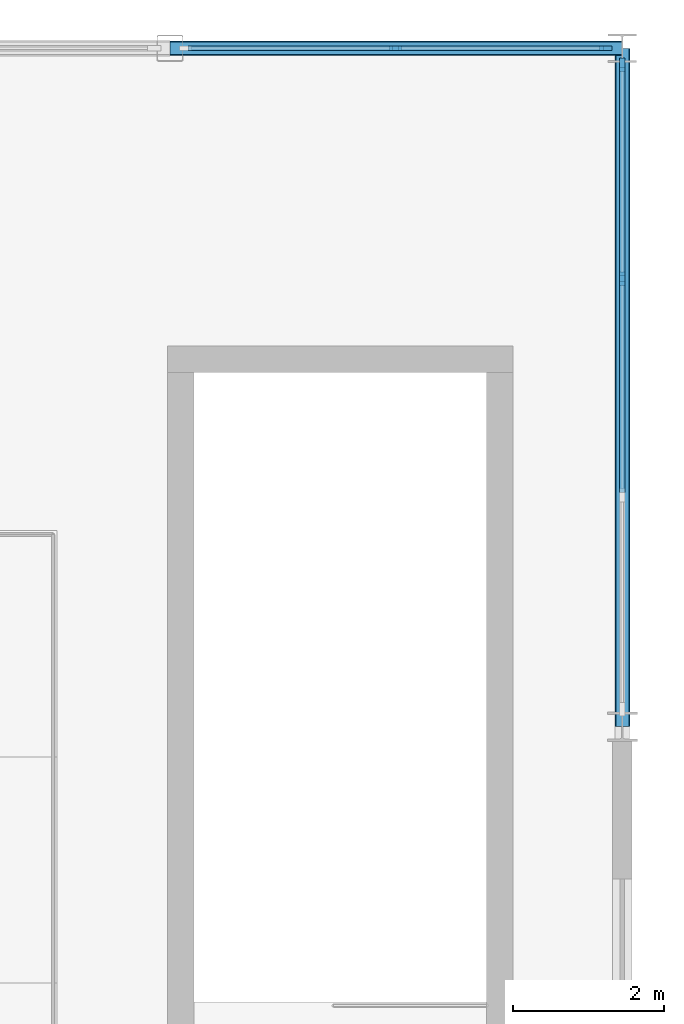
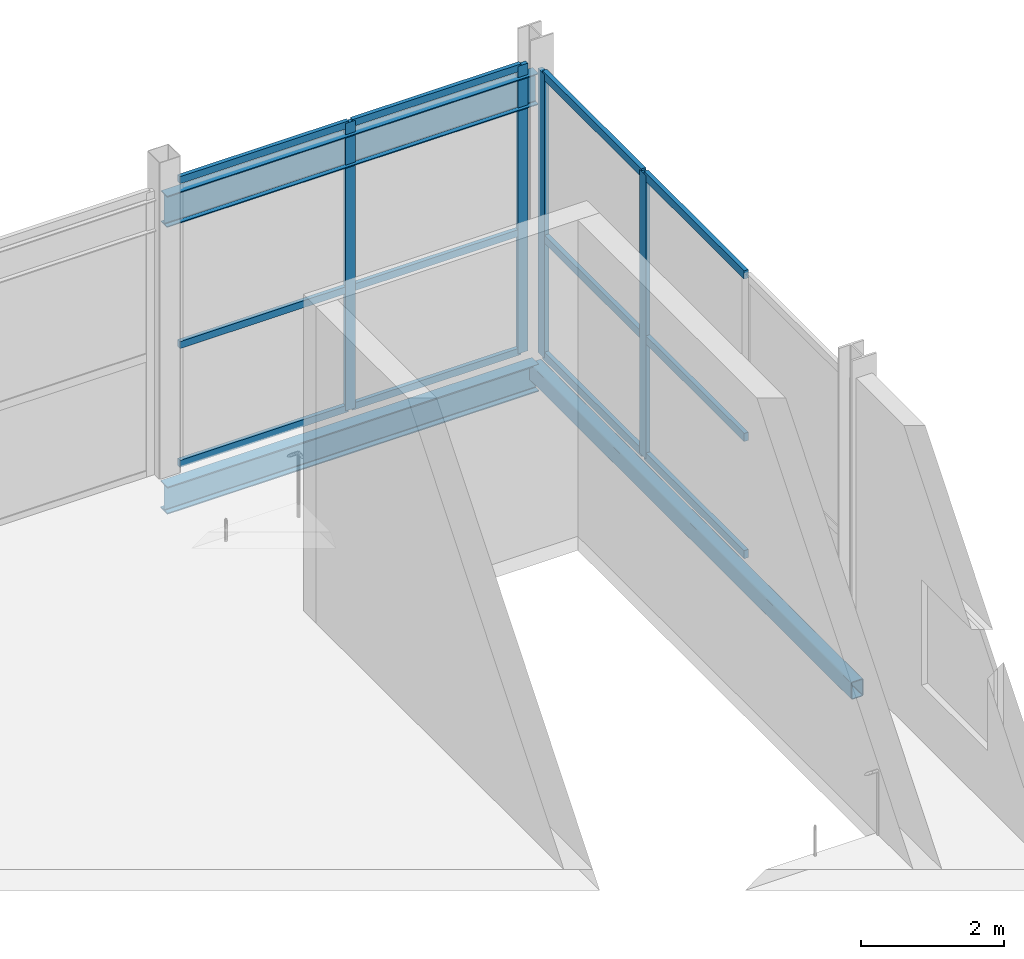
# One storey, part 66 of 119: 16 members, 3 beams, 2 elements without a shape of their own.
"""IFC4 building model written with IfcOpenShell, lengths in metres."""

from ifc_helpers import new_model, si_unit, direction, frame, origin, origin_2d, place, context, subcontext, project, spatial, rectangle, hollow_rectangle, i_section, extrude, material, layer, layer_set, material_profile, profile_set, type_object, element, aggregate, save


model = new_model("IFC4")

# Units and contexts
model_context = context("Model", 3, precision=1e-05, world=origin(), true_north=direction((0.0, 1.0)))
body_context = subcontext(model_context, "Body", "Model", "MODEL_VIEW")
ifc_project = project(units=[si_unit("LENGTHUNIT", "METRE"), si_unit("AREAUNIT", "SQUARE_METRE"), si_unit("VOLUMEUNIT", "CUBIC_METRE"), si_unit("PLANEANGLEUNIT", "RADIAN"), si_unit("MASSUNIT", "GRAM", prefix="KILO")], contexts=[model_context])

# Site, building, storey
site_placement = place(None, origin())
site = spatial("IfcSite", under=ifc_project, at=site_placement, CompositionType="ELEMENT")
building_placement = place(site_placement, origin())
building = spatial("IfcBuilding", under=site, at=building_placement, Name="Qamarlyn Nura Convention Centre", CompositionType="ELEMENT")
storey_placement = place(building_placement, frame((0.0, 0.0, 5.39990234375)))
storey = spatial("IfcBuildingStorey", under=building, at=storey_placement, Name="L01", CompositionType="ELEMENT", Elevation=5.39990234375)

# Beams
ifc_material_1 = material(Name="Steel ASTM A992", Category="steel")
ifc_material_profile_1 = material_profile(ifc_material_1, i_section(OverallWidth=0.166015625, OverallDepth=0.534912109375, WebThickness=0.01025390625, FlangeThickness=0.0166015625, FilletRadius=0.013916015625, at=origin_2d()), Name="W530X85")
ifc_profile_set_1 = profile_set([ifc_material_profile_1], Name="Steel ASTM A992")
beam_type_1 = type_object("IfcBeamType", Name="BM-RAKER-01", PredefinedType="BEAM", material=ifc_profile_set_1)
beam_1_placement = place(storey_placement, frame((186.0, 126.0, 4.4501953125), z_axis=(1.0, 0.0, 0.0), x_axis=(0.0, 1.0, 0.0)))
element("IfcBeam", 1, at=beam_1_placement, inside=storey, type_object=beam_type_1, Name="Plenary stand rear header girder 186-192", PredefinedType="BEAM", context=body_context, shape_type="SweptSolid", body=[
    extrude(i_section(OverallWidth=0.166015625, OverallDepth=0.534912109375, WebThickness=0.01025390625, FlangeThickness=0.0166015625, FilletRadius=0.013916015625, at=origin_2d()), origin(), (0.0, 0.0, 1.0), 6.0),
])
ifc_material_profile_2 = material_profile(ifc_material_1, i_section(OverallWidth=0.193115234375, OverallDepth=0.466064453125, WebThickness=0.011474609375, FlangeThickness=0.01904296875, FilletRadius=0.012939453125, at=origin_2d()), Name="W460X97")
ifc_profile_set_2 = profile_set([ifc_material_profile_2], Name="Steel ASTM A992")
beam_type_2 = type_object("IfcBeamType", Name="BM-SPAN-460", PredefinedType="SPANDREL", material=ifc_profile_set_2)
beam_2_placement = place(storey_placement, frame((186.0, 126.0, -0.472900390625), z_axis=(1.0, 0.0, 0.0), x_axis=(0.0, 1.0, 0.0)))
element("IfcBeam", 2, at=beam_2_placement, inside=storey, type_object=beam_type_2, Name="L01 girder Q 17-18", PredefinedType="SPANDREL", context=body_context, shape_type="SweptSolid", body=[
    extrude(i_section(OverallWidth=0.193115234375, OverallDepth=0.466064453125, WebThickness=0.011474609375, FlangeThickness=0.01904296875, FilletRadius=0.012939453125, at=origin_2d()), origin(), (0.0, 0.0, 1.0), 6.0),
])
ifc_material_2 = material(Name="Steel ASTM A500 Grade C", Category="steel")
ifc_material_profile_3 = material_profile(ifc_material_2, hollow_rectangle(XDim=0.199951171875, YDim=0.300048828125, WallThickness=0.012451171875, InnerFilletRadius=0.012451171875, OuterFilletRadius=0.02490234375, at=origin_2d()), Name="HSS300X200X12.5")
ifc_profile_set_3 = profile_set([ifc_material_profile_3], Name="Steel ASTM A500 Grade C")
beam_type_3 = type_object("IfcBeamType", Name="BM-SPAN-HSS", PredefinedType="SPANDREL", material=ifc_profile_set_3)
beam_3_placement = place(storey_placement, frame((192.0, 117.0, -0.389892578125), z_axis=(0.0, 1.0, 0.0), x_axis=(-1.0, 0.0, 0.0)))
element("IfcBeam", 3, at=beam_3_placement, inside=storey, type_object=beam_type_3, Name="L01 girder 18 P-Q", PredefinedType="SPANDREL", context=body_context, shape_type="SweptSolid", body=[
    extrude(hollow_rectangle(XDim=0.199951171875, YDim=0.300048828125, WallThickness=0.012451171875, InnerFilletRadius=0.012451171875, OuterFilletRadius=0.02490234375, at=origin_2d()), origin(), (0.0, 0.0, 1.0), 9.0),
])

# Curtain wall, members
ifc_material_3 = material(Name="Double-silver low-E insulated glass", Category="glass")
ifc_layer_1 = layer(ifc_material_3, 0.179931640625, Name="CW-UNIT-91")
ifc_layer_set_1 = layer_set([ifc_layer_1], Name="Double-silver low-E insulated glass")
curtain_wall_type_1 = type_object("IfcCurtainWallType", Name="CW-UNIT-91", PredefinedType="NOTDEFINED", material=ifc_layer_set_1)
curtain_wall_1_placement = place(storey_placement, origin())
curtain_wall_1 = element("IfcCurtainWall", 4, at=curtain_wall_1_placement, inside=storey, type_object=curtain_wall_type_1, Name="L01 unitised curtain wall PLN-N6-1", PredefinedType="NOTDEFINED")
ifc_material_4 = material(Name="Champagne-anodised marine aluminium", Category="aluminium")
ifc_material_profile_4 = material_profile(ifc_material_4, rectangle(XDim=0.06494140625, YDim=0.159912109375, at=origin_2d()), Name="ALU MULLION 65x160")
ifc_profile_set_4 = profile_set([ifc_material_profile_4], Name="Champagne-anodised marine aluminium")
member_type_1 = type_object("IfcMemberType", Name="CWM-160", PredefinedType="MULLION", material=ifc_profile_set_4)
member_1_placement = place(storey_placement, frame((188.993896484375, 126.0, 0.0), z_axis=(0.0, 0.0, 1.0), x_axis=(0.0, 1.0, 0.0)))
member_1 = element("IfcMember", 5, at=member_1_placement, type_object=member_type_1, Name="CW91 mullion 2", PredefinedType="MULLION", context=body_context, shape_type="SweptSolid", body=[
    extrude(rectangle(XDim=0.06494140625, YDim=0.159912109375, at=origin_2d()), origin(), (0.0, 0.0, 1.0), 4.91015625),
])
member_2_placement = place(storey_placement, frame((191.780517578125, 126.0, 0.0), z_axis=(0.0, 0.0, 1.0), x_axis=(0.0, 1.0, 0.0)))
member_2 = element("IfcMember", 6, at=member_2_placement, type_object=member_type_1, Name="CW91 mullion 3", PredefinedType="MULLION", context=body_context, shape_type="SweptSolid", body=[
    extrude(rectangle(XDim=0.06494140625, YDim=0.159912109375, at=origin_2d()), origin(), (0.0, 0.0, 1.0), 4.91015625),
])

ifc_layer_2 = layer(ifc_material_3, 0.179931640625, Name="CW-UNIT-75")
ifc_layer_set_2 = layer_set([ifc_layer_2], Name="Double-silver low-E insulated glass")
curtain_wall_type_2 = type_object("IfcCurtainWallType", Name="CW-UNIT-75", PredefinedType="NOTDEFINED", material=ifc_layer_set_2)
curtain_wall_2_placement = place(storey_placement, origin())
curtain_wall_2 = element("IfcCurtainWall", 7, at=curtain_wall_2_placement, inside=storey, type_object=curtain_wall_type_2, Name="L01 unitised curtain wall EAST-14-1", PredefinedType="NOTDEFINED")
ifc_material_profile_5 = material_profile(ifc_material_4, rectangle(XDim=0.070068359375, YDim=0.179931640625, at=origin_2d()), Name="ALU MULLION 70x180")
ifc_profile_set_5 = profile_set([ifc_material_profile_5], Name="Champagne-anodised marine aluminium")
member_type_2 = type_object("IfcMemberType", Name="CWM-180", PredefinedType="MULLION", material=ifc_profile_set_5)
member_3_placement = place(storey_placement, frame((192.0, 125.779052734375, 0.0), z_axis=(0.0, 0.0, 1.0), x_axis=(1.0, 0.0, 0.0)))
member_3 = element("IfcMember", 8, at=member_3_placement, type_object=member_type_2, Name="CW75 mullion 1", PredefinedType="MULLION", context=body_context, shape_type="SweptSolid", body=[
    extrude(rectangle(XDim=0.070068359375, YDim=0.179931640625, at=origin_2d()), origin(), (0.0, 0.0, 1.0), 4.84619140625),
])
member_4_placement = place(storey_placement, frame((192.0, 122.94140625, 0.0), z_axis=(0.0, 0.0, 1.0), x_axis=(1.0, 0.0, 0.0)))
member_4 = element("IfcMember", 9, at=member_4_placement, type_object=member_type_2, Name="CW75 mullion 2", PredefinedType="MULLION", context=body_context, shape_type="SweptSolid", body=[
    extrude(rectangle(XDim=0.070068359375, YDim=0.179931640625, at=origin_2d()), origin(), (0.0, 0.0, 1.0), 4.84619140625),
])

# Member
ifc_material_profile_6 = material_profile(ifc_material_4, rectangle(XDim=0.06494140625, YDim=0.1201171875, at=origin_2d()), Name="ALU TRANSOM 65x120")
ifc_profile_set_6 = profile_set([ifc_material_profile_6], Name="Champagne-anodised marine aluminium")
member_type_3 = type_object("IfcMemberType", Name="CWT-120", PredefinedType="USERDEFINED", material=ifc_profile_set_6)
member_5_placement = place(storey_placement, frame((186.239990234375, 126.0, 0.03271484375), z_axis=(1.0, 0.0, 0.0), x_axis=(0.0, 1.0, 0.0)))
member_5 = element("IfcMember", 10, at=member_5_placement, type_object=member_type_3, Name="CW91 transom 1.1", ObjectType="TRANSOM", PredefinedType="USERDEFINED", context=body_context, shape_type="SweptSolid", body=[
    extrude(rectangle(XDim=0.06494140625, YDim=0.1201171875, at=origin_2d()), origin(), (0.0, 0.0, 1.0), 2.721435546875),
])

member_6_placement = place(storey_placement, frame((186.239990234375, 126.0, 2.06201171875), z_axis=(1.0, 0.0, 0.0), x_axis=(0.0, 1.0, 0.0)))
member_6 = element("IfcMember", 11, at=member_6_placement, type_object=member_type_3, Name="CW91 transom 1.2", ObjectType="TRANSOM", PredefinedType="USERDEFINED", context=body_context, shape_type="SweptSolid", body=[
    extrude(rectangle(XDim=0.06494140625, YDim=0.1201171875, at=origin_2d()), origin(), (0.0, 0.0, 1.0), 2.721435546875),
])

member_7_placement = place(storey_placement, frame((186.239990234375, 126.0, 4.877685546875), z_axis=(1.0, 0.0, 0.0), x_axis=(0.0, 1.0, 0.0)))
member_7 = element("IfcMember", 12, at=member_7_placement, type_object=member_type_3, Name="CW91 transom 1.3", ObjectType="TRANSOM", PredefinedType="USERDEFINED", context=body_context, shape_type="SweptSolid", body=[
    extrude(rectangle(XDim=0.06494140625, YDim=0.1201171875, at=origin_2d()), origin(), (0.0, 0.0, 1.0), 2.721435546875),
])

member_8_placement = place(storey_placement, frame((189.026611328125, 126.0, 0.03271484375), z_axis=(1.0, 0.0, 0.0), x_axis=(0.0, 1.0, 0.0)))
member_8 = element("IfcMember", 13, at=member_8_placement, type_object=member_type_3, Name="CW91 transom 2.1", ObjectType="TRANSOM", PredefinedType="USERDEFINED", context=body_context, shape_type="SweptSolid", body=[
    extrude(rectangle(XDim=0.06494140625, YDim=0.1201171875, at=origin_2d()), origin(), (0.0, 0.0, 1.0), 2.721435546875),
])

member_9_placement = place(storey_placement, frame((189.026611328125, 126.0, 2.06201171875), z_axis=(1.0, 0.0, 0.0), x_axis=(0.0, 1.0, 0.0)))
member_9 = element("IfcMember", 14, at=member_9_placement, type_object=member_type_3, Name="CW91 transom 2.2", ObjectType="TRANSOM", PredefinedType="USERDEFINED", context=body_context, shape_type="SweptSolid", body=[
    extrude(rectangle(XDim=0.06494140625, YDim=0.1201171875, at=origin_2d()), origin(), (0.0, 0.0, 1.0), 2.721435546875),
])

member_10_placement = place(storey_placement, frame((189.026611328125, 126.0, 4.877685546875), z_axis=(1.0, 0.0, 0.0), x_axis=(0.0, 1.0, 0.0)))
member_10 = element("IfcMember", 15, at=member_10_placement, type_object=member_type_3, Name="CW91 transom 2.3", ObjectType="TRANSOM", PredefinedType="USERDEFINED", context=body_context, shape_type="SweptSolid", body=[
    extrude(rectangle(XDim=0.06494140625, YDim=0.1201171875, at=origin_2d()), origin(), (0.0, 0.0, 1.0), 2.721435546875),
])

aggregate(curtain_wall_1, [member_1, member_2, member_5, member_6, member_7, member_8, member_9, member_10])

ifc_material_profile_7 = material_profile(ifc_material_4, rectangle(XDim=0.070068359375, YDim=0.139892578125, at=origin_2d()), Name="ALU TRANSOM 70x140")
ifc_profile_set_7 = profile_set([ifc_material_profile_7], Name="Champagne-anodised marine aluminium")
member_type_4 = type_object("IfcMemberType", Name="CWT-140", PredefinedType="USERDEFINED", material=ifc_profile_set_7)
member_11_placement = place(storey_placement, frame((192.0, 125.743896484375, 0.03515625), z_axis=(0.0, -1.0, 0.0), x_axis=(1.0, 0.0, 0.0)))
member_11 = element("IfcMember", 16, at=member_11_placement, type_object=member_type_4, Name="CW75 transom 1.1", ObjectType="TRANSOM", PredefinedType="USERDEFINED", context=body_context, shape_type="SweptSolid", body=[
    extrude(rectangle(XDim=0.070068359375, YDim=0.139892578125, at=origin_2d()), origin(), (0.0, 0.0, 1.0), 2.767333984375),
])

member_12_placement = place(storey_placement, frame((192.0, 125.743896484375, 2.03515625), z_axis=(0.0, -1.0, 0.0), x_axis=(1.0, 0.0, 0.0)))
member_12 = element("IfcMember", 17, at=member_12_placement, type_object=member_type_4, Name="CW75 transom 1.2", ObjectType="TRANSOM", PredefinedType="USERDEFINED", context=body_context, shape_type="SweptSolid", body=[
    extrude(rectangle(XDim=0.070068359375, YDim=0.139892578125, at=origin_2d()), origin(), (0.0, 0.0, 1.0), 2.767333984375),
])

member_13_placement = place(storey_placement, frame((192.0, 125.743896484375, 4.81103515625), z_axis=(0.0, -1.0, 0.0), x_axis=(1.0, 0.0, 0.0)))
member_13 = element("IfcMember", 18, at=member_13_placement, type_object=member_type_4, Name="CW75 transom 1.3", ObjectType="TRANSOM", PredefinedType="USERDEFINED", context=body_context, shape_type="SweptSolid", body=[
    extrude(rectangle(XDim=0.070068359375, YDim=0.139892578125, at=origin_2d()), origin(), (0.0, 0.0, 1.0), 2.767333984375),
])

member_14_placement = place(storey_placement, frame((192.0, 122.906494140625, 0.03515625), z_axis=(0.0, -1.0, 0.0), x_axis=(1.0, 0.0, 0.0)))
member_14 = element("IfcMember", 19, at=member_14_placement, type_object=member_type_4, Name="CW75 transom 2.1", ObjectType="TRANSOM", PredefinedType="USERDEFINED", context=body_context, shape_type="SweptSolid", body=[
    extrude(rectangle(XDim=0.070068359375, YDim=0.139892578125, at=origin_2d()), origin(), (0.0, 0.0, 1.0), 2.802490234375),
])

member_15_placement = place(storey_placement, frame((192.0, 122.906494140625, 2.03515625), z_axis=(0.0, -1.0, 0.0), x_axis=(1.0, 0.0, 0.0)))
member_15 = element("IfcMember", 20, at=member_15_placement, type_object=member_type_4, Name="CW75 transom 2.2", ObjectType="TRANSOM", PredefinedType="USERDEFINED", context=body_context, shape_type="SweptSolid", body=[
    extrude(rectangle(XDim=0.070068359375, YDim=0.139892578125, at=origin_2d()), origin(), (0.0, 0.0, 1.0), 2.802490234375),
])

member_16_placement = place(storey_placement, frame((192.0, 122.906494140625, 4.81103515625), z_axis=(0.0, -1.0, 0.0), x_axis=(1.0, 0.0, 0.0)))
member_16 = element("IfcMember", 21, at=member_16_placement, type_object=member_type_4, Name="CW75 transom 2.3", ObjectType="TRANSOM", PredefinedType="USERDEFINED", context=body_context, shape_type="SweptSolid", body=[
    extrude(rectangle(XDim=0.070068359375, YDim=0.139892578125, at=origin_2d()), origin(), (0.0, 0.0, 1.0), 2.802490234375),
])

aggregate(curtain_wall_2, [member_3, member_4, member_11, member_12, member_13, member_14, member_15, member_16])

save(model, "model.ifc")
